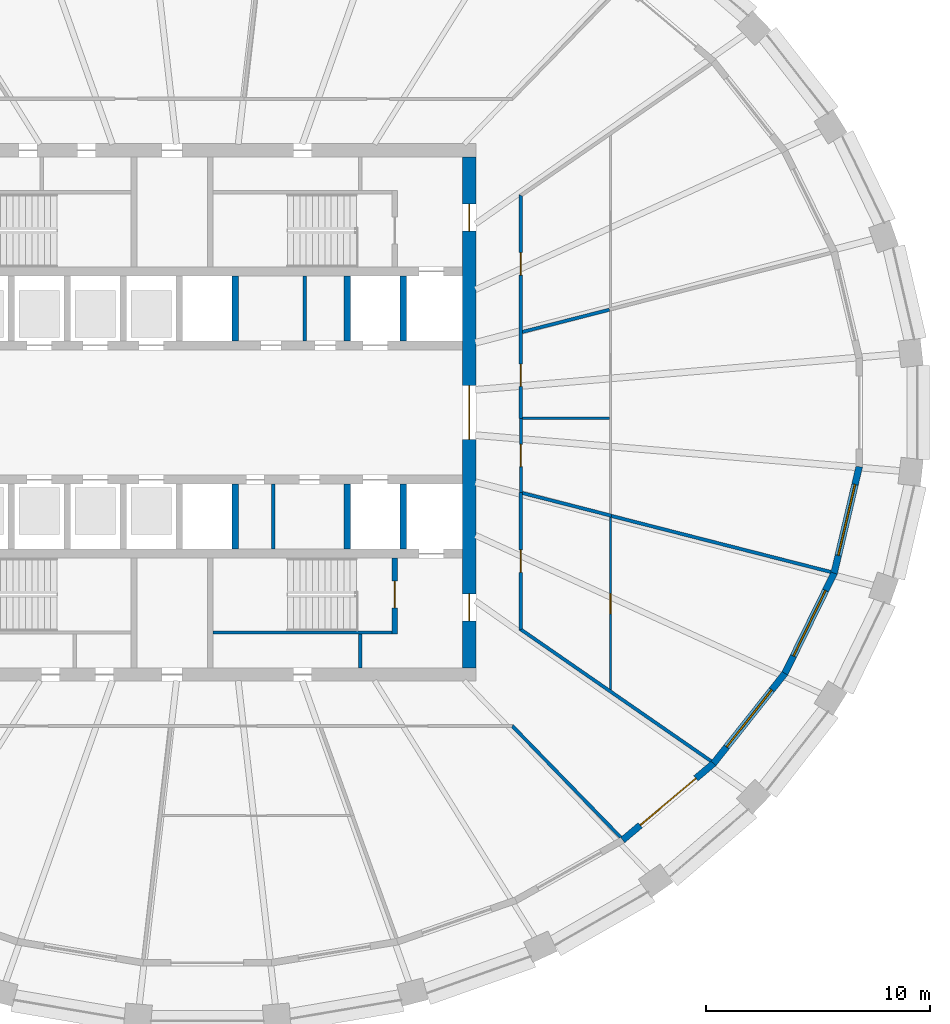
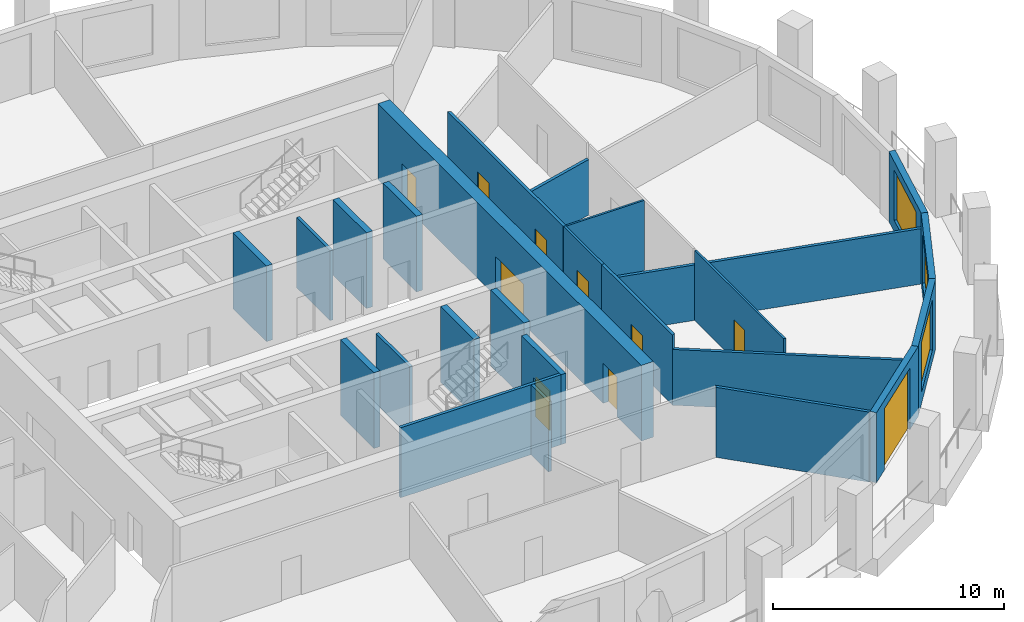
# One storey, part 5 of 11: 26 walls, 10 doors, 3 windows, 13 openings.
"""IFC4 building model written with IfcOpenShell, lengths in metres."""

from ifc_helpers import new_model, si_unit, direction, frame, frame_2d, origin, place, context, subcontext, project, spatial, polyline, rectangle, outline, extrude, material, layer, layer_set, type_object, element, fill, save


model = new_model("IFC4")

# Units and contexts
model_context = context("Model", 3, precision=1e-05, world=origin(), true_north=direction((0.0, 1.0)))
body_context = subcontext(model_context, "Body", "Model", "MODEL_VIEW")
ifc_project = project(units=[si_unit("LENGTHUNIT", "METRE"), si_unit("AREAUNIT", "SQUARE_METRE"), si_unit("VOLUMEUNIT", "CUBIC_METRE"), si_unit("PLANEANGLEUNIT", "RADIAN"), si_unit("MASSUNIT", "GRAM", prefix="KILO")], contexts=[model_context])

# Site, building, storey
site_placement = place(None, origin())
site = spatial("IfcSite", under=ifc_project, at=site_placement, CompositionType="ELEMENT")
building_placement = place(site_placement, origin())
building = spatial("IfcBuilding", under=site, at=building_placement, Name="Halqa Exchange Tower", CompositionType="ELEMENT")
storey_placement = place(building_placement, frame((0.0, 0.0, 222.89990234375)))
storey = spatial("IfcBuildingStorey", under=building, at=storey_placement, Name="L51", CompositionType="ELEMENT", Elevation=222.89990234375)

# Wall
ifc_material_1 = material(Name="Fire-rated gypsum board")
ifc_layer_1 = layer(ifc_material_1, 0.14990234375)
ifc_layer_set_1 = layer_set([ifc_layer_1], Name="Fire-rated gypsum board")
wall_type_1 = type_object("IfcWallType", Name="Fire partition EI 60 150", PredefinedType="PARTITIONING", material=ifc_layer_set_1)
wall_1_placement = place(storey_placement, frame((13.9677734375, -9.66748046875, 0.0), z_axis=(0.0, 0.0, 1.0), x_axis=(0.822219313141, -0.56917080134, 0.0)))
element("IfcWall", 1, at=wall_1_placement, inside=storey, type_object=wall_type_1, Name="L51-PWL-026", PredefinedType="PARTITIONING", context=body_context, shape_type="SweptSolid", body=[
    extrude(outline(polyline([(0.000244140625, -0.074951171875), (1.724365234375, -0.074951171875), (3.448486328125, -0.074951171875), (5.172607421875, -0.074951171875), (6.896728515625, -0.074951171875), (8.620849609375, -0.074951171875), (10.344970703125, -0.074951171875), (10.365234375, 0.000244140625), (10.36962890625, 0.066162109375), (10.36962890625, 0.074951171875), (8.511474609375, 0.074951171875), (6.653076171875, 0.074951171875), (4.794921875, 0.074951171875), (4.79248046875, 0.0732421875), (4.791259765625, 0.074951171875), (3.220458984375, 0.074951171875), (1.649658203125, 0.074951171875), (0.07861328125, 0.074951171875), (0.039306640625, -0.000244140625), (0.000244140625, -0.074951171875)])), origin(), (0.0, 0.0, 1.0), 2.947021484375),
])

# Wall, opening, door
wall_2_placement = place(storey_placement, frame((14.0, -3.580078125, 0.0), z_axis=(0.0, 0.0, 1.0), x_axis=(0.0, -1.0, 0.0)))
wall_2 = element("IfcWall", 2, at=wall_2_placement, inside=storey, type_object=wall_type_1, Name="L51-PWL-027", PredefinedType="PARTITIONING", context=body_context, shape_type="SweptSolid", body=[
    extrude(outline(polyline([(6.149169921875, -0.074951171875), (6.149169921875, -0.074951171875), (6.070556640625, 0.074951171875), (4.552978515625, 0.074951171875), (3.035400390625, 0.074951171875), (1.517578125, 0.074951171875), (0.0, 0.074951171875), (0.0, -0.074951171875), (1.537353515625, -0.074951171875), (3.07470703125, -0.074951171875), (4.61181640625, -0.074951171875), (6.149169921875, -0.074951171875)])), origin(), (0.0, 0.0, 1.0), 3.7001953125),
])
opening_1_placement = place(wall_2_placement, frame((2.554931640625, 0.0, 0.0)))
opening_1 = element("IfcOpeningElement", 3, at=opening_1_placement, cuts=wall_2, Name="Opening 15-11", PredefinedType="OPENING", context=body_context, shape_type="SweptSolid", body=[
    extrude(rectangle(XDim=1.0, YDim=2.10009765625, at=frame_2d((0.5, 1.050048828125))), frame((0.0, 0.0869140625, 0.0), z_axis=(0.0, -1.0, 0.0), x_axis=(1.0, 0.0, 0.0)), (0.0, 0.0, 1.0), 0.173828125),
])
ifc_material_2 = material(Name="Steel fire door leaf", Category="steel")
door_type_1 = type_object("IfcDoorType", Name="Fire door FD30S 1000 x 2100", OperationType="SINGLE_SWING_LEFT", PredefinedType="DOOR", material=ifc_material_2)
door_1_placement = place(opening_1_placement, origin())
door_1 = element("IfcDoor", 4, at=door_1_placement, inside=storey, type_object=door_type_1, Name="L51-IDR-011", OperationType="SINGLE_SWING_LEFT", OverallHeight=2.10009765625, OverallWidth=1.0, PredefinedType="DOOR", context=body_context, shape_type="SweptSolid", body=[
    extrude(rectangle(XDim=1.0, YDim=2.10009765625, at=frame_2d((0.5, 1.050048828125))), frame((0.0, 0.02490234375, 0.0), z_axis=(0.0, -1.0, 0.0), x_axis=(1.0, 0.0, 0.0)), (0.0, 0.0, 1.0), 0.050048828125),
])
fill(opening_1, door_1)

# Wall
wall_3_placement = place(storey_placement, frame((14.041748046875, -3.590576171875, 0.0), z_axis=(0.0, 0.0, 1.0), x_axis=(0.968991510142, -0.247094017071, 0.0)))
element("IfcWall", 5, at=wall_3_placement, inside=storey, type_object=wall_type_1, Name="L51-PWL-028", PredefinedType="PARTITIONING", context=body_context, shape_type="SweptSolid", body=[
    extrude(outline(polyline([(4.131103515625, 0.074951171875), (4.014892578125, 0.074951171875), (4.01416015625, 0.07470703125), (4.01416015625, 0.074951171875), (2.676025390625, 0.074951171875), (1.338134765625, 0.074951171875), (0.0, 0.074951171875), (0.0, 0.073974609375), (0.01513671875, 0.0146484375), (0.029541015625, 0.0185546875), (0.053466796875, -0.074951171875), (1.41259765625, -0.074951171875), (2.77197265625, -0.074951171875), (4.131103515625, -0.074951171875), (4.131103515625, 0.074951171875)])), origin(), (0.0, 0.0, 1.0), 2.93017578125),
])

# Wall, openings, doors
wall_4_placement = place(storey_placement, frame((14.0, -0.260009765625, 0.0), z_axis=(0.0, 0.0, 1.0), x_axis=(0.0, 1.0, 0.0)))
wall_4 = element("IfcWall", 6, at=wall_4_placement, inside=storey, type_object=wall_type_1, Name="L51-PWL-030", PredefinedType="PARTITIONING", context=body_context, shape_type="SweptSolid", body=[
    extrude(outline(polyline([(0.0, -0.074951171875), (1.982177734375, -0.074951171875), (3.96435546875, -0.074951171875), (5.946533203125, -0.074951171875), (7.9287109375, -0.074951171875), (9.91064453125, -0.074951171875), (9.9892578125, 0.074951171875), (9.9892578125, 0.074951171875), (7.991455078125, 0.074951171875), (5.99365234375, 0.074951171875), (3.99560546875, 0.074951171875), (1.997802734375, 0.074951171875), (0.0, 0.074951171875), (0.0, -0.074951171875)])), origin(), (0.0, 0.0, 1.0), 3.7001953125),
])
opening_2_placement = place(wall_4_placement, frame((1.419921875, 0.0, 0.0)))
opening_2 = element("IfcOpeningElement", 7, at=opening_2_placement, cuts=wall_4, Name="Opening 15-13", PredefinedType="OPENING", context=body_context, shape_type="SweptSolid", body=[
    extrude(rectangle(XDim=1.0, YDim=2.10009765625, at=frame_2d((0.5, 1.050048828125))), frame((0.0, 0.0869140625, 0.0), z_axis=(0.0, -1.0, 0.0), x_axis=(1.0, 0.0, 0.0)), (0.0, 0.0, 1.0), 0.173828125),
])
opening_3_placement = place(wall_4_placement, frame((6.39501953125, 0.0, 0.0)))
opening_3 = element("IfcOpeningElement", 8, at=opening_3_placement, cuts=wall_4, Name="Opening 15-14", PredefinedType="OPENING", context=body_context, shape_type="SweptSolid", body=[
    extrude(rectangle(XDim=1.0, YDim=2.10009765625, at=frame_2d((0.5, 1.050048828125))), frame((0.0, 0.0869140625, 0.0), z_axis=(0.0, -1.0, 0.0), x_axis=(1.0, 0.0, 0.0)), (0.0, 0.0, 1.0), 0.173828125),
])
door_2_placement = place(opening_2_placement, frame((1.0, 0.0, 0.0), z_axis=(0.0, 0.0, 1.0), x_axis=(-1.0, 0.0, 0.0)))
door_2 = element("IfcDoor", 9, at=door_2_placement, inside=storey, type_object=door_type_1, Name="L51-IDR-013", OperationType="SINGLE_SWING_RIGHT", OverallHeight=2.10009765625, OverallWidth=1.0, PredefinedType="DOOR", context=body_context, shape_type="SweptSolid", body=[
    extrude(rectangle(XDim=1.0, YDim=2.10009765625, at=frame_2d((0.5, 1.050048828125))), frame((0.0, 0.02490234375, 0.0), z_axis=(0.0, -1.0, 0.0), x_axis=(1.0, 0.0, 0.0)), (0.0, 0.0, 1.0), 0.050048828125),
])
fill(opening_2, door_2)
door_3_placement = place(opening_3_placement, frame((1.0, 0.0, 0.0), z_axis=(0.0, 0.0, 1.0), x_axis=(-1.0, 0.0, 0.0)))
door_3 = element("IfcDoor", 10, at=door_3_placement, inside=storey, type_object=door_type_1, Name="L51-IDR-014", OperationType="SINGLE_SWING_LEFT", OverallHeight=2.10009765625, OverallWidth=1.0, PredefinedType="DOOR", context=body_context, shape_type="SweptSolid", body=[
    extrude(rectangle(XDim=1.0, YDim=2.10009765625, at=frame_2d((0.5, 1.050048828125))), frame((0.0, 0.02490234375, 0.0), z_axis=(0.0, -1.0, 0.0), x_axis=(1.0, 0.0, 0.0)), (0.0, 0.0, 1.0), 0.050048828125),
])
fill(opening_3, door_3)

# Walls
wall_5_placement = place(storey_placement, frame((14.056640625, 3.594482421875, 0.0), z_axis=(0.0, 0.0, 1.0), x_axis=(0.968992302027, 0.247090911634, 0.0)))
element("IfcWall", 11, at=wall_5_placement, inside=storey, type_object=wall_type_1, Name="L51-PWL-032", PredefinedType="PARTITIONING", context=body_context, shape_type="SweptSolid", body=[
    extrude(outline(polyline([(0.0, -0.074951171875), (1.99951171875, -0.074951171875), (3.998779296875, -0.074951171875), (3.999267578125, -0.073486328125), (4.005126953125, -0.074951171875), (4.0205078125, -0.074951171875), (4.0205078125, 0.074951171875), (2.029296875, 0.074951171875), (0.0380859375, 0.074951171875), (0.0, -0.07421875), (0.0, -0.074951171875)])), origin(), (0.0, 0.0, 1.0), 2.93017578125),
])
wall_6_placement = place(storey_placement, frame((18.0419921875, -4.620849609375, 0.0), z_axis=(0.0, 0.0, 1.0), x_axis=(0.968898746972, -0.247457507698, 0.0)))
element("IfcWall", 12, at=wall_6_placement, inside=storey, type_object=wall_type_1, Name="L51-PWL-035", PredefinedType="PARTITIONING", context=body_context, shape_type="SweptSolid", body=[
    extrude(outline(polyline([(0.02734375, -0.074951171875), (1.705810546875, -0.074951171875), (3.384521484375, -0.074951171875), (5.06298828125, -0.074951171875), (6.741455078125, -0.074951171875), (8.419921875, -0.074951171875), (10.098388671875, -0.074951171875), (10.112548828125, -0.0078125), (10.112548828125, 0.074951171875), (8.42724609375, 0.074951171875), (6.74169921875, 0.074951171875), (5.056396484375, 0.074951171875), (3.370849609375, 0.074951171875), (1.685546875, 0.074951171875), (0.000244140625, 0.074951171875), (0.000244140625, -0.04541015625), (0.018798828125, -0.040771484375), (0.02734375, -0.074951171875)])), origin(), (0.0, 0.0, 1.0), 2.93017578125),
])
wall_7_placement = place(storey_placement, frame((18.459228515625, -18.973388671875, 0.0), z_axis=(0.0, 0.0, 1.0), x_axis=(-0.697374409368, 0.716707006494, 0.0)))
element("IfcWall", 13, at=wall_7_placement, inside=storey, type_object=wall_type_1, Name="L51-PWL-039", PredefinedType="PARTITIONING", context=body_context, shape_type="SweptSolid", body=[
    extrude(outline(polyline([(0.0, -0.074951171875), (1.74267578125, -0.074951171875), (3.4853515625, -0.074951171875), (5.22802734375, -0.074951171875), (6.970947265625, -0.074951171875), (6.939208984375, 0.0), (6.907470703125, 0.074951171875), (5.18701171875, 0.074951171875), (3.46630859375, 0.074951171875), (1.745849609375, 0.074951171875), (0.025146484375, 0.074951171875), (0.0048828125, -0.002197265625), (0.0, -0.0693359375), (0.0, -0.074951171875)])), origin(), (0.0, 0.0, 1.0), 3.7001953125),
])

# Wall, opening, door
ifc_material_3 = material(Name="Fire-rated glazing", Category="glass")
ifc_layer_2 = layer(ifc_material_3, 0.1201171875)
ifc_layer_set_2 = layer_set([ifc_layer_2], Name="Fire-rated glazing")
wall_type_2 = type_object("IfcWallType", Name="Glazed fire partition EI 60 120", PredefinedType="PARTITIONING", material=ifc_layer_set_2)
wall_8_placement = place(storey_placement, frame((14.0, -0.260009765625, 0.0), z_axis=(0.0, 0.0, 1.0), x_axis=(0.0, -1.0, 0.0)))
wall_8 = element("IfcWall", 14, at=wall_8_placement, inside=storey, type_object=wall_type_2, Name="L51-PWL-029", PredefinedType="PARTITIONING", context=body_context, shape_type="SweptSolid", body=[
    extrude(rectangle(XDim=3.320068359375, YDim=0.1201171875, at=frame_2d((1.66015625, 0.0))), origin(), (0.0, 0.0, 1.0), 3.7001953125),
])
opening_4_placement = place(wall_8_placement, frame((1.159912109375, 0.0, 0.0)))
opening_4 = element("IfcOpeningElement", 15, at=opening_4_placement, cuts=wall_8, Name="Opening 15-12", PredefinedType="OPENING", context=body_context, shape_type="SweptSolid", body=[
    extrude(rectangle(XDim=1.0, YDim=2.10009765625, at=frame_2d((0.5, 1.050048828125))), frame((0.0, 0.072021484375, 0.0), z_axis=(0.0, -1.0, 0.0), x_axis=(1.0, 0.0, 0.0)), (0.0, 0.0, 1.0), 0.14404296875),
])
door_4_placement = place(opening_4_placement, origin())
door_4 = element("IfcDoor", 16, at=door_4_placement, inside=storey, type_object=door_type_1, Name="L51-IDR-012", OperationType="SINGLE_SWING_LEFT", OverallHeight=2.10009765625, OverallWidth=1.0, PredefinedType="DOOR", context=body_context, shape_type="SweptSolid", body=[
    extrude(rectangle(XDim=1.0, YDim=2.10009765625, at=frame_2d((0.5, 1.050048828125))), frame((0.0, 0.02490234375, 0.0), z_axis=(0.0, -1.0, 0.0), x_axis=(1.0, 0.0, 0.0)), (0.0, 0.0, 1.0), 0.050048828125),
])
fill(opening_4, door_4)

# Wall
ifc_material_4 = material(Name="Gypsum board")
ifc_layer_3 = layer(ifc_material_4, 0.10009765625)
ifc_layer_set_3 = layer_set([ifc_layer_3], Name="Gypsum board")
wall_type_3 = type_object("IfcWallType", Name="Partition 100 gypsum", PredefinedType="PARTITIONING", material=ifc_layer_set_3)
wall_9_placement = place(storey_placement, frame((14.060546875, -0.260009765625, 0.0), z_axis=(0.0, 0.0, 1.0), x_axis=(1.0, 0.0, 0.0)))
element("IfcWall", 17, at=wall_9_placement, inside=storey, type_object=wall_type_3, Name="L51-PWL-031", PredefinedType="PARTITIONING", context=body_context, shape_type="SweptSolid", body=[
    extrude(outline(polyline([(3.889404296875, 0.050048828125), (1.951904296875, 0.050048828125), (0.014404296875, 0.050048828125), (0.014404296875, 0.0), (0.0, 0.0), (0.0, -0.050048828125), (1.94482421875, -0.050048828125), (3.889404296875, -0.050048828125), (3.889404296875, 0.050048828125)])), origin(), (0.0, 0.0, 1.0), 3.7001953125),
])

# Wall, opening, door
wall_10_placement = place(storey_placement, frame((18.0, -4.6650390625, 0.0), z_axis=(0.0, 0.0, 1.0), x_axis=(0.0, -1.0, 0.0)))
wall_10 = element("IfcWall", 18, at=wall_10_placement, inside=storey, type_object=wall_type_3, Name="L51-PWL-034", PredefinedType="PARTITIONING", context=body_context, shape_type="SweptSolid", body=[
    extrude(outline(polyline([(0.0, -0.050048828125), (1.9169921875, -0.050048828125), (3.833984375, -0.050048828125), (5.7509765625, -0.050048828125), (7.66796875, -0.050048828125), (7.737060546875, 0.0498046875), (7.737060546875, 0.050048828125), (5.8115234375, 0.050048828125), (3.88623046875, 0.050048828125), (1.960693359375, 0.050048828125), (0.03515625, 0.050048828125), (0.02880859375, 0.02490234375), (0.0, 0.032470703125), (0.0, 0.03076171875), (0.01904296875, 0.02587890625), (0.0, -0.04833984375), (0.0, -0.050048828125)])), origin(), (0.0, 0.0, 1.0), 3.7001953125),
])
opening_5_placement = place(wall_10_placement, frame((3.419921875, 0.0, 0.0)))
opening_5 = element("IfcOpeningElement", 19, at=opening_5_placement, cuts=wall_10, Name="Opening 15-20", PredefinedType="OPENING", context=body_context, shape_type="SweptSolid", body=[
    extrude(rectangle(XDim=0.89990234375, YDim=2.10009765625, at=frame_2d((0.449951171875, 1.050048828125))), frame((0.0, 0.06201171875, 0.0), z_axis=(0.0, -1.0, 0.0), x_axis=(1.0, 0.0, 0.0)), (0.0, 0.0, 1.0), 0.1240234375),
])
ifc_material_5 = material(Name="Timber door leaf", Category="wood")
door_type_2 = type_object("IfcDoorType", Name="Door 900 x 2100", OperationType="SINGLE_SWING_LEFT", PredefinedType="DOOR", material=ifc_material_5)
door_5_placement = place(opening_5_placement, frame((0.89990234375, 0.0, 0.0), z_axis=(0.0, 0.0, 1.0), x_axis=(-1.0, 0.0, 0.0)))
door_5 = element("IfcDoor", 20, at=door_5_placement, inside=storey, type_object=door_type_2, Name="L51-IDR-020", OperationType="SINGLE_SWING_LEFT", OverallHeight=2.10009765625, OverallWidth=0.89990234375, PredefinedType="DOOR", context=body_context, shape_type="SweptSolid", body=[
    extrude(rectangle(XDim=0.89990234375, YDim=2.10009765625, at=frame_2d((0.449951171875, 1.050048828125))), frame((0.0, 0.02490234375, 0.0), z_axis=(0.0, -1.0, 0.0), x_axis=(1.0, 0.0, 0.0)), (0.0, 0.0, 1.0), 0.050048828125),
])
fill(opening_5, door_5)

# Walls
ifc_layer_4 = layer(ifc_material_4, 0.14990234375)
ifc_layer_set_4 = layer_set([ifc_layer_4], Name="Gypsum board")
wall_type_4 = type_object("IfcWallType", Name="Penthouse riser wall 150 gypsum", PredefinedType="PARTITIONING", material=ifc_layer_set_4)
wall_11_placement = place(storey_placement, frame((6.824951171875, -11.39990234375, 0.0), z_axis=(0.0, 0.0, 1.0), x_axis=(0.0, 1.0, 0.0)))
element("IfcWall", 21, at=wall_11_placement, inside=storey, type_object=wall_type_4, Name="Firefighting lobby west wall S", PredefinedType="PARTITIONING", context=body_context, shape_type="SweptSolid", body=[
    extrude(rectangle(XDim=1.5, YDim=0.14990234375, at=frame_2d((0.75, 0.0))), origin(), (0.0, 0.0, 1.0), 3.7001953125),
])
for number, where, z_axis, x_axis, name in (
    (22, (4.35009765625, 3.199951171875, 0.0), (0.0, 0.0, 1.0), (0.0, 1.0, 0.0), "Freed bay partition NE4.350"),
    (23, (2.949951171875, -6.10009765625, 0.0), (0.0, 0.0, 1.0), (0.0, 1.0, 0.0), "Freed bay partition SE2.950"),
):
    element("IfcWall", number, at=place(storey_placement, frame(where, z_axis=z_axis, x_axis=x_axis)), inside=storey, type_object=wall_type_4, Name=name, PredefinedType="PARTITIONING", context=body_context, shape_type="SweptSolid", body=[
        extrude(rectangle(XDim=2.900146484375, YDim=0.14990234375, at=frame_2d((1.4501953125, 0.0))), origin(), (0.0, 0.0, 1.0), 3.7001953125),
    ])
ifc_material_6 = material(Name="Concrete C60/75", Category="concrete")
ifc_layer_5 = layer(ifc_material_6, 0.300048828125)
ifc_layer_set_5 = layer_set([ifc_layer_5], Name="Concrete C60/75")
wall_type_5 = type_object("IfcWallType", Name="RC core wall 300", PredefinedType="SHEAR", material=ifc_layer_set_5)
for number, where, z_axis, x_axis, name in (
    (24, (1.25, 3.199951171875, 0.0), (0.0, 0.0, 1.0), (0.0, 1.0, 0.0), "Shaft divider N5"),
    (25, (6.25, 3.199951171875, 0.0), (0.0, 0.0, 1.0), (0.0, 1.0, 0.0), "Shaft divider N7"),
    (26, (8.75, 3.199951171875, 0.0), (0.0, 0.0, 1.0), (0.0, 1.0, 0.0), "Shaft divider N8"),
    (27, (1.25, -6.10009765625, 0.0), (0.0, 0.0, 1.0), (0.0, 1.0, 0.0), "Shaft divider S5"),
    (28, (6.25, -6.10009765625, 0.0), (0.0, 0.0, 1.0), (0.0, 1.0, 0.0), "Shaft divider S7"),
    (29, (8.75, -6.10009765625, 0.0), (0.0, 0.0, 1.0), (0.0, 1.0, 0.0), "Shaft divider S8"),
):
    element("IfcWall", number, at=place(storey_placement, frame(where, z_axis=z_axis, x_axis=x_axis)), inside=storey, type_object=wall_type_5, Name=name, PredefinedType="SHEAR", context=body_context, shape_type="SweptSolid", body=[
        extrude(rectangle(XDim=2.900146484375, YDim=0.300048828125, at=frame_2d((1.4501953125, 0.0))), origin(), (0.0, 0.0, 1.0), 4.0),
    ])

# Wall, openings, doors
ifc_material_7 = material(Name="Concrete C70/85", Category="concrete")
ifc_layer_6 = layer(ifc_material_7, 0.60009765625)
ifc_layer_set_6 = layer_set([ifc_layer_6], Name="Concrete C70/85")
wall_type_6 = type_object("IfcWallType", Name="RC core wall 600 C70/85", PredefinedType="SHEAR", material=ifc_layer_set_6)
wall_12_placement = place(storey_placement, frame((11.699951171875, -11.39990234375, 0.0), z_axis=(0.0, 0.0, 1.0), x_axis=(0.0, 1.0, 0.0)))
wall_12 = element("IfcWall", 30, at=wall_12_placement, inside=storey, type_object=wall_type_6, Name="Core wall east", PredefinedType="SHEAR", context=body_context, shape_type="SweptSolid", body=[
    extrude(rectangle(XDim=22.7998046875, YDim=0.60009765625, at=frame_2d((11.39990234375, 0.0))), origin(), (0.0, 0.0, 1.0), 4.0),
])
opening_6_placement = place(wall_12_placement, frame((10.199951171875, 0.0, 0.0)))
opening_6 = element("IfcOpeningElement", 31, at=opening_6_placement, cuts=wall_12, Name="Opening T15-C14", PredefinedType="OPENING", context=body_context, shape_type="SweptSolid", body=[
    extrude(rectangle(XDim=2.39990234375, YDim=2.10009765625, at=frame_2d((1.199951171875, 1.050048828125))), frame((0.0, 0.31201171875, 0.0), z_axis=(0.0, -1.0, 0.0), x_axis=(1.0, 0.0, 0.0)), (0.0, 0.0, 1.0), 0.6240234375),
])
opening_7_placement = place(wall_12_placement, frame((19.5, 0.0, 0.0)))
opening_7 = element("IfcOpeningElement", 32, at=opening_7_placement, cuts=wall_12, Name="Opening T15-C19", PredefinedType="OPENING", context=body_context, shape_type="SweptSolid", body=[
    extrude(rectangle(XDim=1.199951171875, YDim=2.10009765625, at=frame_2d((0.60009765625, 1.050048828125))), frame((0.0, 0.31201171875, 0.0), z_axis=(0.0, -1.0, 0.0), x_axis=(1.0, 0.0, 0.0)), (0.0, 0.0, 1.0), 0.6240234375),
])
opening_8_placement = place(wall_12_placement, frame((2.10009765625, 0.0, 0.0)))
opening_8 = element("IfcOpeningElement", 33, at=opening_8_placement, cuts=wall_12, Name="Opening T15-C20", PredefinedType="OPENING", context=body_context, shape_type="SweptSolid", body=[
    extrude(rectangle(XDim=1.199951171875, YDim=2.10009765625, at=frame_2d((0.60009765625, 1.050048828125))), frame((0.0, 0.31201171875, 0.0), z_axis=(0.0, -1.0, 0.0), x_axis=(1.0, 0.0, 0.0)), (0.0, 0.0, 1.0), 0.6240234375),
])
door_type_3 = type_object("IfcDoorType", Name="Firefighting lobby door FD90 1200 x 2100", OperationType="SINGLE_SWING_RIGHT", PredefinedType="DOOR", material=ifc_material_2)
door_6_placement = place(opening_7_placement, origin())
door_6 = element("IfcDoor", 34, at=door_6_placement, inside=storey, type_object=door_type_3, Name="Firefighting lobby door", OperationType="SINGLE_SWING_RIGHT", OverallHeight=2.10009765625, OverallWidth=1.199951171875, PredefinedType="DOOR", context=body_context, shape_type="SweptSolid", body=[
    extrude(rectangle(XDim=1.199951171875, YDim=2.10009765625, at=frame_2d((0.60009765625, 1.050048828125))), frame((0.0, 0.02490234375, 0.0), z_axis=(0.0, -1.0, 0.0), x_axis=(1.0, 0.0, 0.0)), (0.0, 0.0, 1.0), 0.050048828125),
])
fill(opening_7, door_6)
door_7_placement = place(opening_8_placement, origin())
door_7 = element("IfcDoor", 35, at=door_7_placement, inside=storey, type_object=door_type_3, Name="Firefighting lobby door", OperationType="SINGLE_SWING_LEFT", OverallHeight=2.10009765625, OverallWidth=1.199951171875, PredefinedType="DOOR", context=body_context, shape_type="SweptSolid", body=[
    extrude(rectangle(XDim=1.199951171875, YDim=2.10009765625, at=frame_2d((0.60009765625, 1.050048828125))), frame((0.0, 0.02490234375, 0.0), z_axis=(0.0, -1.0, 0.0), x_axis=(1.0, 0.0, 0.0)), (0.0, 0.0, 1.0), 0.050048828125),
])
fill(opening_8, door_7)
door_type_4 = type_object("IfcDoorType", Name="Lobby double door FD60 2400 x 2100", OperationType="DOUBLE_DOOR_SINGLE_SWING", PredefinedType="DOOR", material=ifc_material_2)
door_8_placement = place(opening_6_placement, origin())
door_8 = element("IfcDoor", 36, at=door_8_placement, inside=storey, type_object=door_type_4, Name="Lift lobby double door", OperationType="DOUBLE_DOOR_SINGLE_SWING", OverallHeight=2.10009765625, OverallWidth=2.39990234375, PredefinedType="DOOR", context=body_context, shape_type="SweptSolid", body=[
    extrude(rectangle(XDim=2.39990234375, YDim=2.10009765625, at=frame_2d((1.199951171875, 1.050048828125))), frame((0.0, 0.02490234375, 0.0), z_axis=(0.0, -1.0, 0.0), x_axis=(1.0, 0.0, 0.0)), (0.0, 0.0, 1.0), 0.050048828125),
])
fill(opening_6, door_8)

# Wall
ifc_material_8 = material(Name="Concrete C30/37", Category="concrete")
ifc_layer_7 = layer(ifc_material_8, 0.14990234375)
ifc_layer_set_7 = layer_set([ifc_layer_7], Name="Concrete C30/37")
wall_type_7 = type_object("IfcWallType", Name="RC stair wall 150 C30/37", PredefinedType="SHEAR", material=ifc_layer_set_7)
wall_13_placement = place(storey_placement, frame((0.25, -9.824951171875, 0.0), z_axis=(0.0, 0.0, 1.0), x_axis=(1.0, 0.0, 0.0)))
element("IfcWall", 37, at=wall_13_placement, inside=storey, type_object=wall_type_7, Name="Stair ST2 north wall S", PredefinedType="SHEAR", context=body_context, shape_type="SweptSolid", body=[
    extrude(rectangle(XDim=8.0, YDim=0.14990234375, at=frame_2d((4.0, 0.0))), origin(), (0.0, 0.0, 1.0), 3.7001953125),
])

# Wall, opening, door
ifc_layer_8 = layer(ifc_material_8, 0.25)
ifc_layer_set_8 = layer_set([ifc_layer_8], Name="Concrete C30/37")
wall_type_8 = type_object("IfcWallType", Name="RC stair wall 250 C30/37", PredefinedType="SHEAR", material=ifc_layer_set_8)
wall_14_placement = place(storey_placement, frame((8.375, -9.89990234375, 0.0), z_axis=(0.0, 0.0, 1.0), x_axis=(0.0, 1.0, 0.0)))
wall_14 = element("IfcWall", 38, at=wall_14_placement, inside=storey, type_object=wall_type_8, Name="Stair ST2 east wall S", PredefinedType="SHEAR", context=body_context, shape_type="SweptSolid", body=[
    extrude(rectangle(XDim=3.39990234375, YDim=0.25, at=frame_2d((1.699951171875, 0.0))), origin(), (0.0, 0.0, 1.0), 3.7001953125),
])
opening_9_placement = place(wall_14_placement, frame((1.175048828125, 0.0, 0.0)))
opening_9 = element("IfcOpeningElement", 39, at=opening_9_placement, cuts=wall_14, Name="Opening T15-C18", PredefinedType="OPENING", context=body_context, shape_type="SweptSolid", body=[
    extrude(rectangle(XDim=1.199951171875, YDim=2.10009765625, at=frame_2d((0.60009765625, 1.050048828125))), frame((0.0, 0.136962890625, 0.0), z_axis=(0.0, -1.0, 0.0), x_axis=(1.0, 0.0, 0.0)), (0.0, 0.0, 1.0), 0.27392578125),
])
door_type_5 = type_object("IfcDoorType", Name="Stair door FD90 1200 x 2100", OperationType="SINGLE_SWING_LEFT", PredefinedType="DOOR", material=ifc_material_2)
door_9_placement = place(opening_9_placement, origin())
door_9 = element("IfcDoor", 40, at=door_9_placement, inside=storey, type_object=door_type_5, Name="Stair door ST4", OperationType="SINGLE_SWING_RIGHT", OverallHeight=2.10009765625, OverallWidth=1.199951171875, PredefinedType="DOOR", context=body_context, shape_type="SweptSolid", body=[
    extrude(rectangle(XDim=1.199951171875, YDim=2.10009765625, at=frame_2d((0.60009765625, 1.050048828125))), frame((0.0, 0.02490234375, 0.0), z_axis=(0.0, -1.0, 0.0), x_axis=(1.0, 0.0, 0.0)), (0.0, 0.0, 1.0), 0.050048828125),
])
fill(opening_9, door_9)

ifc_material_9 = material(Name="Limestone cladding", Category="masonry")
ifc_layer_9 = layer(ifc_material_9, 0.0400390625)
ifc_material_10 = material(Name="Ventilated cavity")
ifc_layer_10 = layer(ifc_material_10, 0.030029296875, ventilated=True)
ifc_material_11 = material(Name="Mineral wool insulation")
ifc_layer_11 = layer(ifc_material_11, 0.10009765625)
ifc_layer_12 = layer(ifc_material_8, 0.10009765625)
ifc_material_12 = material(Name="Internal plaster")
ifc_layer_13 = layer(ifc_material_12, 0.030029296875)
ifc_layer_set_9 = layer_set([ifc_layer_9, ifc_layer_10, ifc_layer_11, ifc_layer_12, ifc_layer_13], Name="Stone-faced insulated wall 300")
wall_type_9 = type_object("IfcWallType", Name="Stone-faced insulated wall 300", PredefinedType="STANDARD", material=ifc_layer_set_9)
wall_15_placement = place(storey_placement, frame((18.54345703125, -19.09228515625, 0.0), z_axis=(0.0, 0.0, 1.0), x_axis=(0.764397795062, 0.644744919255, 0.0)))
wall_15 = element("IfcWall", 41, at=wall_15_placement, inside=storey, type_object=wall_type_9, Name="Glass-line wall 28", PredefinedType="STANDARD", context=body_context, shape_type="SweptSolid", body=[
    extrude(outline(polyline([(-0.01416015625, -0.14990234375), (5.3203125, -0.14990234375), (5.2900390625, 0.14990234375), (0.01416015625, 0.14990234375), (-0.01416015625, -0.14990234375)])), origin(), (0.0, 0.0, 1.0), 3.7001953125),
])
opening_10_placement = place(wall_15_placement, frame((1.027587890625, 0.0, 0.0)))
opening_10 = element("IfcOpeningElement", 42, at=opening_10_placement, cuts=wall_15, Name="Opening LG-F3-07", PredefinedType="OPENING", context=body_context, shape_type="SweptSolid", body=[
    extrude(rectangle(XDim=3.25, YDim=3.25, at=frame_2d((1.625, 1.625))), frame((0.0, 0.162109375, 0.0), z_axis=(0.0, -1.0, 0.0), x_axis=(1.0, 0.0, 0.0)), (0.0, 0.0, 1.0), 0.323974609375),
])
ifc_material_13 = material(Name="Clear low-emissivity glass in aluminium frame", Category="aluminium")
door_type_6 = type_object("IfcDoorType", Name="Glazed sliding loggia door 3250 x 3250", OperationType="DOUBLE_DOOR_SLIDING", PredefinedType="DOOR", material=ifc_material_13)
door_10_placement = place(opening_10_placement, origin())
door_10 = element("IfcDoor", 43, at=door_10_placement, inside=storey, type_object=door_type_6, Name="Loggia door 7", OperationType="DOUBLE_DOOR_SLIDING", OverallHeight=3.25, OverallWidth=3.25, PredefinedType="DOOR", context=body_context, shape_type="SweptSolid", body=[
    extrude(rectangle(XDim=3.25, YDim=3.25, at=frame_2d((1.625, 1.625))), frame((0.0, 0.02490234375, 0.0), z_axis=(0.0, -1.0, 0.0), x_axis=(1.0, 0.0, 0.0)), (0.0, 0.0, 1.0), 0.050048828125),
])
fill(opening_10, door_10)

# Wall, opening, window
wall_16_placement = place(storey_placement, frame((22.5986328125, -15.671875, 0.0), z_axis=(0.0, 0.0, 1.0), x_axis=(0.621017151557, 0.783796974651, 0.0)))
wall_16 = element("IfcWall", 44, at=wall_16_placement, inside=storey, type_object=wall_type_9, Name="Glass-line wall 29", PredefinedType="STANDARD", context=body_context, shape_type="SweptSolid", body=[
    extrude(outline(polyline([(-0.01513671875, -0.14990234375), (5.14990234375, -0.14990234375), (5.11767578125, 0.14990234375), (0.01513671875, 0.14990234375), (-0.01513671875, -0.14990234375)])), origin(), (0.0, 0.0, 1.0), 3.7001953125),
])
opening_11_placement = place(wall_16_placement, frame((0.94189453125, 0.0, 0.60009765625)))
opening_11 = element("IfcOpeningElement", 45, at=opening_11_placement, cuts=wall_16, Name="Opening W-F3-29", PredefinedType="OPENING", context=body_context, shape_type="SweptSolid", body=[
    extrude(rectangle(XDim=3.25, YDim=2.64990234375, at=frame_2d((1.625, 1.324951171875))), frame((0.0, 0.162109375, 0.0), z_axis=(0.0, -1.0, 0.0), x_axis=(1.0, 0.0, 0.0)), (0.0, 0.0, 1.0), 0.323974609375),
])
window_type = type_object("IfcWindowType", Name="Fixed clear glazed window 3250 x 2650", PartitioningType="TRIPLE_PANEL_VERTICAL", PredefinedType="WINDOW", material=ifc_material_13)
window_1_placement = place(opening_11_placement, origin())
window_1 = element("IfcWindow", 46, at=window_1_placement, inside=storey, type_object=window_type, Name="Window 3", OverallHeight=2.64990234375, OverallWidth=3.25, PartitioningType="TRIPLE_PANEL_VERTICAL", PredefinedType="WINDOW", context=body_context, shape_type="SweptSolid", body=[
    extrude(rectangle(XDim=3.25, YDim=2.64990234375, at=frame_2d((1.625, 1.324951171875))), frame((0.0, 0.030029296875, 0.0), z_axis=(0.0, -1.0, 0.0), x_axis=(1.0, 0.0, 0.0)), (0.0, 0.0, 1.0), 0.06005859375),
])
fill(opening_11, window_1)

wall_17_placement = place(storey_placement, frame((25.786865234375, -11.64794921875, 0.0), z_axis=(0.0, 0.0, 1.0), x_axis=(0.440795186599, 0.897607711348, 0.0)))
wall_17 = element("IfcWall", 47, at=wall_17_placement, inside=storey, type_object=wall_type_9, Name="Glass-line wall 30", PredefinedType="STANDARD", context=body_context, shape_type="SweptSolid", body=[
    extrude(outline(polyline([(-0.01611328125, -0.14990234375), (5.0009765625, -0.14990234375), (4.96728515625, 0.14990234375), (0.01611328125, 0.14990234375), (-0.01611328125, -0.14990234375)])), origin(), (0.0, 0.0, 1.0), 3.7001953125),
])
opening_12_placement = place(wall_17_placement, frame((0.8671875, 0.0, 0.60009765625)))
opening_12 = element("IfcOpeningElement", 48, at=opening_12_placement, cuts=wall_17, Name="Opening W-F3-30", PredefinedType="OPENING", context=body_context, shape_type="SweptSolid", body=[
    extrude(rectangle(XDim=3.25, YDim=2.64990234375, at=frame_2d((1.625, 1.324951171875))), frame((0.0, 0.162109375, 0.0), z_axis=(0.0, -1.0, 0.0), x_axis=(1.0, 0.0, 0.0)), (0.0, 0.0, 1.0), 0.323974609375),
])
window_2_placement = place(opening_12_placement, origin())
window_2 = element("IfcWindow", 49, at=window_2_placement, inside=storey, type_object=window_type, Name="Window 3", OverallHeight=2.64990234375, OverallWidth=3.25, PartitioningType="TRIPLE_PANEL_VERTICAL", PredefinedType="WINDOW", context=body_context, shape_type="SweptSolid", body=[
    extrude(rectangle(XDim=3.25, YDim=2.64990234375, at=frame_2d((1.625, 1.324951171875))), frame((0.0, 0.030029296875, 0.0), z_axis=(0.0, -1.0, 0.0), x_axis=(1.0, 0.0, 0.0)), (0.0, 0.0, 1.0), 0.06005859375),
])
fill(opening_12, window_2)

wall_18_placement = place(storey_placement, frame((27.98388671875, -7.174072265625, 0.0), z_axis=(0.0, 0.0, 1.0), x_axis=(0.229546618766, 0.97329766763, 0.0)))
wall_18 = element("IfcWall", 50, at=wall_18_placement, inside=storey, type_object=wall_type_9, Name="Glass-line wall 31", PredefinedType="STANDARD", context=body_context, shape_type="SweptSolid", body=[
    extrude(outline(polyline([(-0.016845703125, -0.14990234375), (4.899169921875, -0.14990234375), (4.864501953125, 0.14990234375), (0.016845703125, 0.14990234375), (-0.016845703125, -0.14990234375)])), origin(), (0.0, 0.0, 1.0), 3.7001953125),
])
opening_13_placement = place(wall_18_placement, frame((0.81591796875, 0.0, 0.60009765625)))
opening_13 = element("IfcOpeningElement", 51, at=opening_13_placement, cuts=wall_18, Name="Opening W-F3-31", PredefinedType="OPENING", context=body_context, shape_type="SweptSolid", body=[
    extrude(rectangle(XDim=3.25, YDim=2.64990234375, at=frame_2d((1.625, 1.324951171875))), frame((0.0, 0.162109375, 0.0), z_axis=(0.0, -1.0, 0.0), x_axis=(1.0, 0.0, 0.0)), (0.0, 0.0, 1.0), 0.323974609375),
])
window_3_placement = place(opening_13_placement, origin())
window_3 = element("IfcWindow", 52, at=window_3_placement, inside=storey, type_object=window_type, Name="Window 3", OverallHeight=2.64990234375, OverallWidth=3.25, PartitioningType="TRIPLE_PANEL_VERTICAL", PredefinedType="WINDOW", context=body_context, shape_type="SweptSolid", body=[
    extrude(rectangle(XDim=3.25, YDim=2.64990234375, at=frame_2d((1.625, 1.324951171875))), frame((0.0, 0.030029296875, 0.0), z_axis=(0.0, -1.0, 0.0), x_axis=(1.0, 0.0, 0.0)), (0.0, 0.0, 1.0), 0.06005859375),
])
fill(opening_13, window_3)

save(model, "model.ifc")
